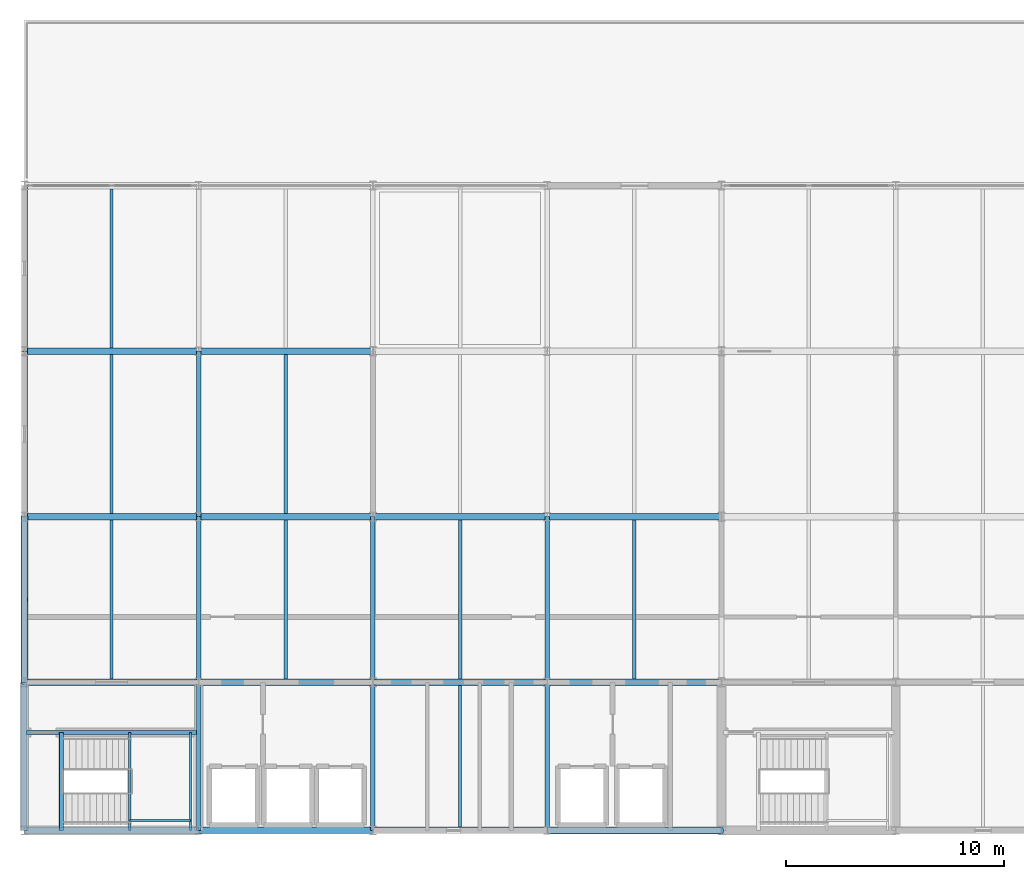
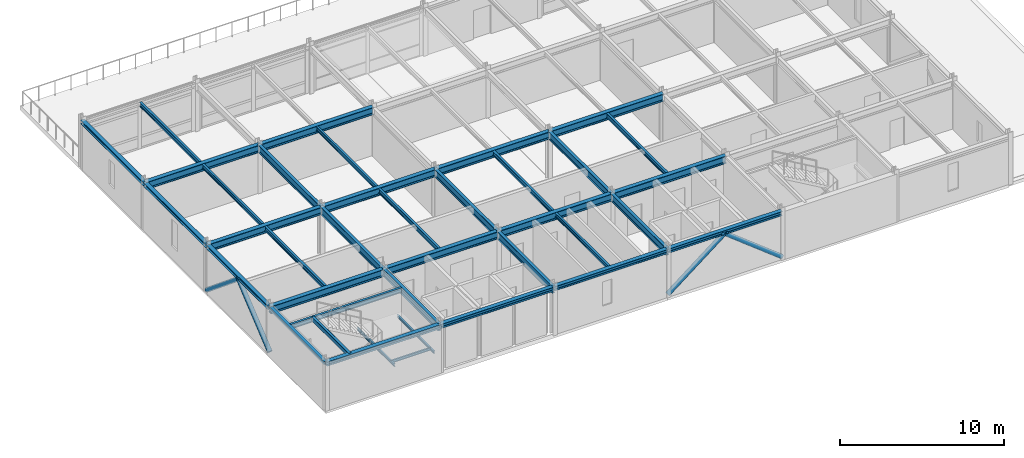
# One storey, part 3 of 12: 38 beams, 4 members.
"""IFC4 building model written with IfcOpenShell, lengths in metres."""

from ifc_helpers import new_model, si_unit, direction, frame, origin, origin_2d, place, context, subcontext, project, spatial, hollow_rectangle, hollow_circle, i_section, extrude, material, material_profile, profile_set, type_object, element, save


model = new_model("IFC4")

# Units and contexts
model_context = context("Model", 3, precision=1e-05, world=origin(), true_north=direction((0.0, 1.0)))
body_context = subcontext(model_context, "Body", "Model", "MODEL_VIEW")
ifc_project = project(units=[si_unit("LENGTHUNIT", "METRE"), si_unit("AREAUNIT", "SQUARE_METRE"), si_unit("VOLUMEUNIT", "CUBIC_METRE"), si_unit("PLANEANGLEUNIT", "RADIAN"), si_unit("MASSUNIT", "GRAM", prefix="KILO")], contexts=[model_context])

# Site, building, storey
site_placement = place(None, origin())
site = spatial("IfcSite", under=ifc_project, at=site_placement, CompositionType="ELEMENT")
building_placement = place(site_placement, origin())
building = spatial("IfcBuilding", under=site, at=building_placement, Name="Shalkamar Park Central Library", CompositionType="ELEMENT")
storey_placement = place(building_placement, frame((0.0, 0.0, 56.10009765625)))
storey = spatial("IfcBuildingStorey", under=building, at=storey_placement, Name="L14", CompositionType="ELEMENT", Elevation=56.10009765625)

# Beams
ifc_material = material(Name="Steel S355", Category="steel")
ifc_material_profile_1 = material_profile(ifc_material, i_section(OverallWidth=0.10009765625, OverallDepth=0.199951171875, WebThickness=0.005615234375, FlangeThickness=0.008544921875, FilletRadius=0.011962890625, at=origin_2d()), Name="IPE 200")
ifc_profile_set_1 = profile_set([ifc_material_profile_1], Name="Steel S355")
beam_type_1 = type_object("IfcBeamType", Name="Composite Floor Joist IPE200", PredefinedType="JOIST", material=ifc_profile_set_1)
for number, where, z_axis, x_axis, name in (
    (1, (169.840087890625, 248.39990234375, 1.56982421875), (0.0, 1.0, 0.0), (-1.0, 0.0, 0.0), "Stair Half-Landing Beam ST-T1-L14-1"),
    (2, (172.6201171875, 248.39990234375, 1.56982421875), (0.0, 1.0, 0.0), (-1.0, 0.0, 0.0), "Stair Half-Landing Beam ST-T1-L14-2"),
):
    element("IfcBeam", number, at=place(storey_placement, frame(where, z_axis=z_axis, x_axis=x_axis)), inside=storey, type_object=beam_type_1, Name=name, PredefinedType="JOIST", context=body_context, shape_type="SweptSolid", body=[
        extrude(i_section(OverallWidth=0.10009765625, OverallDepth=0.199951171875, WebThickness=0.005615234375, FlangeThickness=0.008544921875, FilletRadius=0.011962890625, at=origin_2d()), origin(), (0.0, 0.0, 1.0), 4.5),
    ])
beam_1_placement = place(storey_placement, frame((169.840087890625, 248.85009765625, 1.56982421875), z_axis=(1.0, 0.0, 0.0), x_axis=(0.0, 1.0, 0.0)))
element("IfcBeam", 3, at=beam_1_placement, inside=storey, type_object=beam_type_1, Name="Stair Half-Landing Cross Tie ST-T1-L14-3", PredefinedType="JOIST", context=body_context, shape_type="SweptSolid", body=[
    extrude(i_section(OverallWidth=0.10009765625, OverallDepth=0.199951171875, WebThickness=0.005615234375, FlangeThickness=0.008544921875, FilletRadius=0.011962890625, at=origin_2d()), origin(), (0.0, 0.0, 1.0), 2.780029296875),
])
ifc_material_profile_2 = material_profile(ifc_material, i_section(OverallWidth=0.14990234375, OverallDepth=0.300048828125, WebThickness=0.007080078125, FlangeThickness=0.0107421875, FilletRadius=0.014892578125, at=origin_2d()), Name="IPE 300")
ifc_profile_set_2 = profile_set([ifc_material_profile_2], Name="Steel S355")
beam_type_2 = type_object("IfcBeamType", Name="Composite Floor Joist IPE300", PredefinedType="JOIST", material=ifc_profile_set_2)
for number, where, z_axis, x_axis, name in (
    (4, (169.0, 262.947998046875, 3.429931640625), (0.0, 1.0, 0.0), (-1.0, 0.0, 0.0), "Composite Joist 07/D-1 (L14)"),
    (5, (177.0, 262.947998046875, 3.429931640625), (0.0, 1.0, 0.0), (-1.0, 0.0, 0.0), "Composite Joist 08/D-1 (L14)"),
):
    element("IfcBeam", number, at=place(storey_placement, frame(where, z_axis=z_axis, x_axis=x_axis)), inside=storey, type_object=beam_type_2, Name=name, PredefinedType="JOIST", context=body_context, shape_type="SweptSolid", body=[
        extrude(i_section(OverallWidth=0.14990234375, OverallDepth=0.300048828125, WebThickness=0.007080078125, FlangeThickness=0.0107421875, FilletRadius=0.014892578125, at=origin_2d()), origin(), (0.0, 0.0, 1.0), 7.303955078125),
    ])
beam_2_placement = place(storey_placement, frame((185.0, 248.548095703125, 3.429931640625), z_axis=(0.0, 1.0, 0.0), x_axis=(-1.0, 0.0, 0.0)))
element("IfcBeam", 6, at=beam_2_placement, inside=storey, type_object=beam_type_2, Name="Composite Joist 09/B-1 (L14)", PredefinedType="JOIST", context=body_context, shape_type="SweptSolid", body=[
    extrude(i_section(OverallWidth=0.14990234375, OverallDepth=0.300048828125, WebThickness=0.007080078125, FlangeThickness=0.0107421875, FilletRadius=0.014892578125, at=origin_2d()), origin(), (0.0, 0.0, 1.0), 6.50390625),
])
ifc_material_profile_3 = material_profile(ifc_material, i_section(OverallWidth=0.159912109375, OverallDepth=0.330078125, WebThickness=0.007568359375, FlangeThickness=0.011474609375, FilletRadius=0.01806640625, at=origin_2d()), Name="IPE 330")
ifc_profile_set_3 = profile_set([ifc_material_profile_3], Name="Steel S355")
beam_type_3 = type_object("IfcBeamType", Name="Composite Floor Joist IPE330", PredefinedType="JOIST", material=ifc_profile_set_3)
beam_3_placement = place(storey_placement, frame((169.0, 255.347900390625, 3.414794921875), z_axis=(0.0, 1.0, 0.0), x_axis=(-1.0, 0.0, 0.0)))
element("IfcBeam", 7, at=beam_3_placement, inside=storey, type_object=beam_type_3, Name="Composite Joist 07/C-1 (L14)", PredefinedType="JOIST", context=body_context, shape_type="SweptSolid", body=[
    extrude(i_section(OverallWidth=0.159912109375, OverallDepth=0.330078125, WebThickness=0.007568359375, FlangeThickness=0.011474609375, FilletRadius=0.01806640625, at=origin_2d()), origin(), (0.0, 0.0, 1.0), 7.30419921875),
])
beam_4_placement = place(storey_placement, frame((169.0, 270.548095703125, 3.414794921875), z_axis=(0.0, 1.0, 0.0), x_axis=(-1.0, 0.0, 0.0)))
element("IfcBeam", 8, at=beam_4_placement, inside=storey, type_object=beam_type_3, Name="Composite Joist 07/E-1 (L14)", PredefinedType="JOIST", context=body_context, shape_type="SweptSolid", body=[
    extrude(i_section(OverallWidth=0.159912109375, OverallDepth=0.330078125, WebThickness=0.007568359375, FlangeThickness=0.011474609375, FilletRadius=0.01806640625, at=origin_2d()), origin(), (0.0, 0.0, 1.0), 7.303955078125),
])
for number, where, z_axis, x_axis, name in (
    (9, (177.0, 255.347900390625, 3.414794921875), (0.0, 1.0, 0.0), (-1.0, 0.0, 0.0), "Composite Joist 08/C-1 (L14)"),
    (10, (185.0, 255.347900390625, 3.414794921875), (0.0, 1.0, 0.0), (-1.0, 0.0, 0.0), "Composite Joist 09/C-1 (L14)"),
    (11, (193.0, 255.347900390625, 3.414794921875), (0.0, 1.0, 0.0), (-1.0, 0.0, 0.0), "Composite Joist 10/C-1 (L14)"),
):
    element("IfcBeam", number, at=place(storey_placement, frame(where, z_axis=z_axis, x_axis=x_axis)), inside=storey, type_object=beam_type_3, Name=name, PredefinedType="JOIST", context=body_context, shape_type="SweptSolid", body=[
        extrude(i_section(OverallWidth=0.159912109375, OverallDepth=0.330078125, WebThickness=0.007568359375, FlangeThickness=0.011474609375, FilletRadius=0.01806640625, at=origin_2d()), origin(), (0.0, 0.0, 1.0), 7.30419921875),
    ])

# Members
ifc_material_profile_4 = material_profile(ifc_material, hollow_circle(Radius=0.161865234375, WallThickness=0.012451171875, at=origin_2d()), Name="CHS 323.9x12.5")
ifc_profile_set_4 = profile_set([ifc_material_profile_4], Name="Steel S355")
member_type = type_object("IfcMemberType", Name="Diagonal Brace CHS323", PredefinedType="BRACE", material=ifc_profile_set_4)
for number, where, z_axis, x_axis, name in (
    (12, (165.0, 255.199951171875, 0.14990234375), (0.0, 0.771887288884, 0.635759398876), (-1.0, 0.0, 0.0), "Chevron Brace TW-W Leg A (L14)"),
    (13, (165.0, 262.800048828125, 0.14990234375), (0.0, -0.771887288884, 0.635759398876), (1.0, 0.0, 0.0), "Chevron Brace TW-W Leg B (L14)"),
):
    element("IfcMember", number, at=place(storey_placement, frame(where, z_axis=z_axis, x_axis=x_axis)), inside=storey, type_object=member_type, Name=name, PredefinedType="BRACE", context=body_context, shape_type="SweptSolid", body=[
        extrude(hollow_circle(Radius=0.161865234375, WallThickness=0.012451171875, at=origin_2d()), origin(), (0.0, 0.0, 1.0), 4.923095703125),
    ])
for number, where, z_axis, x_axis, name in (
    (14, (189.0, 248.39990234375, 0.14990234375), (0.787557744094, 0.0, 0.616240861773), (0.0, 1.0, 0.0), "Chevron Brace TW-S Leg A (L14)"),
    (15, (197.0, 248.39990234375, 0.14990234375), (-0.787557744094, 0.0, 0.616240861773), (0.0, -1.0, 0.0), "Chevron Brace TW-S Leg B (L14)"),
):
    element("IfcMember", number, at=place(storey_placement, frame(where, z_axis=z_axis, x_axis=x_axis)), inside=storey, type_object=member_type, Name=name, PredefinedType="BRACE", context=body_context, shape_type="SweptSolid", body=[
        extrude(hollow_circle(Radius=0.161865234375, WallThickness=0.012451171875, at=origin_2d()), origin(), (0.0, 0.0, 1.0), 5.0791015625),
    ])

# Beams
ifc_material_profile_5 = material_profile(ifc_material, i_section(OverallWidth=0.239990234375, OverallDepth=0.22998046875, WebThickness=0.007568359375, FlangeThickness=0.011962890625, FilletRadius=0.02099609375, at=origin_2d()), Name="HEA 240")
ifc_profile_set_5 = profile_set([ifc_material_profile_5], Name="Steel S355")
beam_type_4 = type_object("IfcBeamType", Name="Perimeter Spandrel Beam HEA240", PredefinedType="SPANDREL", material=ifc_profile_set_5)
beam_5_placement = place(storey_placement, frame((165.0, 248.39990234375, 3.46484375), z_axis=(0.0, 1.0, 0.0), x_axis=(-1.0, 0.0, 0.0)))
element("IfcBeam", 16, at=beam_5_placement, inside=storey, type_object=beam_type_4, Name="Beam 07:B-C (L14)", PredefinedType="SPANDREL", context=body_context, shape_type="SweptSolid", body=[
    extrude(i_section(OverallWidth=0.239990234375, OverallDepth=0.22998046875, WebThickness=0.007568359375, FlangeThickness=0.011962890625, FilletRadius=0.02099609375, at=origin_2d()), origin(), (0.0, 0.0, 1.0), 6.800048828125),
])
ifc_material_profile_6 = material_profile(ifc_material, i_section(OverallWidth=0.280029296875, OverallDepth=0.27001953125, WebThickness=0.008056640625, FlangeThickness=0.012939453125, FilletRadius=0.02392578125, at=origin_2d()), Name="HEA 280")
ifc_profile_set_6 = profile_set([ifc_material_profile_6], Name="Steel S355")
beam_type_5 = type_object("IfcBeamType", Name="Perimeter Spandrel Beam HEA280", PredefinedType="SPANDREL", material=ifc_profile_set_6)
beam_6_placement = place(storey_placement, frame((165.0, 255.199951171875, 3.44482421875), z_axis=(0.0, 1.0, 0.0), x_axis=(-1.0, 0.0, 0.0)))
element("IfcBeam", 17, at=beam_6_placement, inside=storey, type_object=beam_type_5, Name="Beam 07:C-D (L14)", PredefinedType="SPANDREL", context=body_context, shape_type="SweptSolid", body=[
    extrude(i_section(OverallWidth=0.280029296875, OverallDepth=0.27001953125, WebThickness=0.008056640625, FlangeThickness=0.012939453125, FilletRadius=0.02392578125, at=origin_2d()), origin(), (0.0, 0.0, 1.0), 7.60009765625),
])
beam_7_placement = place(storey_placement, frame((165.0, 262.800048828125, 3.44482421875), z_axis=(0.0, 1.0, 0.0), x_axis=(-1.0, 0.0, 0.0)))
element("IfcBeam", 18, at=beam_7_placement, inside=storey, type_object=beam_type_5, Name="Beam 07:D-E (L14)", PredefinedType="SPANDREL", context=body_context, shape_type="SweptSolid", body=[
    extrude(i_section(OverallWidth=0.280029296875, OverallDepth=0.27001953125, WebThickness=0.008056640625, FlangeThickness=0.012939453125, FilletRadius=0.02392578125, at=origin_2d()), origin(), (0.0, 0.0, 1.0), 7.599853515625),
])
beam_8_placement = place(storey_placement, frame((165.0, 270.39990234375, 3.44482421875), z_axis=(0.0, 1.0, 0.0), x_axis=(-1.0, 0.0, 0.0)))
element("IfcBeam", 19, at=beam_8_placement, inside=storey, type_object=beam_type_5, Name="Beam 07:E-F (L14)", PredefinedType="SPANDREL", context=body_context, shape_type="SweptSolid", body=[
    extrude(i_section(OverallWidth=0.280029296875, OverallDepth=0.27001953125, WebThickness=0.008056640625, FlangeThickness=0.012939453125, FilletRadius=0.02392578125, at=origin_2d()), origin(), (0.0, 0.0, 1.0), 7.60009765625),
])
ifc_material_profile_7 = material_profile(ifc_material, i_section(OverallWidth=0.300048828125, OverallDepth=0.31005859375, WebThickness=0.009033203125, FlangeThickness=0.015380859375, FilletRadius=0.027099609375, at=origin_2d()), Name="HEA 320")
ifc_profile_set_7 = profile_set([ifc_material_profile_7], Name="Steel S355")
beam_type_6 = type_object("IfcBeamType", Name="Perimeter Spandrel Beam HEA320", PredefinedType="SPANDREL", material=ifc_profile_set_7)
for number, where, z_axis, x_axis, name in (
    (20, (165.0, 248.39990234375, 3.4248046875), (1.0, 0.0, 0.0), (0.0, 1.0, 0.0), "Beam B:07-08 (L14)"),
    (21, (173.0, 248.39990234375, 3.4248046875), (1.0, 0.0, 0.0), (0.0, 1.0, 0.0), "Beam B:08-09 (L14)"),
    (22, (181.0, 248.39990234375, 3.4248046875), (1.0, 0.0, 0.0), (0.0, 1.0, 0.0), "Beam B:09-10 (L14)"),
    (23, (189.0, 248.39990234375, 3.4248046875), (1.0, 0.0, 0.0), (0.0, 1.0, 0.0), "Beam B:10-11 (L14)"),
):
    element("IfcBeam", number, at=place(storey_placement, frame(where, z_axis=z_axis, x_axis=x_axis)), inside=storey, type_object=beam_type_6, Name=name, PredefinedType="SPANDREL", context=body_context, shape_type="SweptSolid", body=[
        extrude(i_section(OverallWidth=0.300048828125, OverallDepth=0.31005859375, WebThickness=0.009033203125, FlangeThickness=0.015380859375, FilletRadius=0.027099609375, at=origin_2d()), origin(), (0.0, 0.0, 1.0), 8.0),
    ])
ifc_material_profile_8 = material_profile(ifc_material, i_section(OverallWidth=0.300048828125, OverallDepth=0.550048828125, WebThickness=0.014892578125, FlangeThickness=0.029052734375, FilletRadius=0.027099609375, at=origin_2d()), Name="HEB 550")
ifc_profile_set_8 = profile_set([ifc_material_profile_8], Name="Steel S355")
beam_type_7 = type_object("IfcBeamType", Name="Primary Girder HEB550", PredefinedType="BEAM", material=ifc_profile_set_8)
for number, where, z_axis, x_axis, name in (
    (24, (165.0, 255.199951171875, 3.304931640625), (1.0, 0.0, 0.0), (0.0, 1.0, 0.0), "Beam C:07-08 (L14)"),
    (25, (173.0, 255.199951171875, 3.304931640625), (1.0, 0.0, 0.0), (0.0, 1.0, 0.0), "Beam C:08-09 (L14)"),
    (26, (181.0, 255.199951171875, 3.304931640625), (1.0, 0.0, 0.0), (0.0, 1.0, 0.0), "Beam C:09-10 (L14)"),
    (27, (189.0, 255.199951171875, 3.304931640625), (1.0, 0.0, 0.0), (0.0, 1.0, 0.0), "Beam C:10-11 (L14)"),
    (28, (165.0, 262.800048828125, 3.304931640625), (1.0, 0.0, 0.0), (0.0, 1.0, 0.0), "Beam D:07-08 (L14)"),
    (29, (173.0, 262.800048828125, 3.304931640625), (1.0, 0.0, 0.0), (0.0, 1.0, 0.0), "Beam D:08-09 (L14)"),
    (30, (181.0, 262.800048828125, 3.304931640625), (1.0, 0.0, 0.0), (0.0, 1.0, 0.0), "Beam D:09-10 (L14)"),
    (31, (189.0, 262.800048828125, 3.304931640625), (1.0, 0.0, 0.0), (0.0, 1.0, 0.0), "Beam D:10-11 (L14)"),
    (32, (165.0, 270.39990234375, 3.304931640625), (1.0, 0.0, 0.0), (0.0, 1.0, 0.0), "Beam E:07-08 (L14)"),
    (33, (173.0, 270.39990234375, 3.304931640625), (1.0, 0.0, 0.0), (0.0, 1.0, 0.0), "Beam E:08-09 (L14)"),
):
    element("IfcBeam", number, at=place(storey_placement, frame(where, z_axis=z_axis, x_axis=x_axis)), inside=storey, type_object=beam_type_7, Name=name, PredefinedType="BEAM", context=body_context, shape_type="SweptSolid", body=[
        extrude(i_section(OverallWidth=0.300048828125, OverallDepth=0.550048828125, WebThickness=0.014892578125, FlangeThickness=0.029052734375, FilletRadius=0.027099609375, at=origin_2d()), origin(), (0.0, 0.0, 1.0), 8.0),
    ])
ifc_material_profile_9 = material_profile(ifc_material, i_section(OverallWidth=0.169921875, OverallDepth=0.360107421875, WebThickness=0.008056640625, FlangeThickness=0.0126953125, FilletRadius=0.01806640625, at=origin_2d()), Name="IPE 360")
ifc_profile_set_9 = profile_set([ifc_material_profile_9], Name="Steel S355")
beam_type_8 = type_object("IfcBeamType", Name="Primary Girder IPE360", PredefinedType="BEAM", material=ifc_profile_set_9)
beam_9_placement = place(storey_placement, frame((165.087890625, 252.89990234375, 3.39990234375), z_axis=(1.0, 0.0, 0.0), x_axis=(0.0, 1.0, 0.0)))
element("IfcBeam", 34, at=beam_9_placement, inside=storey, type_object=beam_type_8, Name="CORE-T1 Stairwell Divider Beam (L14)", PredefinedType="BEAM", context=body_context, shape_type="SweptSolid", body=[
    extrude(i_section(OverallWidth=0.169921875, OverallDepth=0.360107421875, WebThickness=0.008056640625, FlangeThickness=0.0126953125, FilletRadius=0.01806640625, at=origin_2d()), origin(), (0.0, 0.0, 1.0), 7.82421875),
])
ifc_material_profile_10 = material_profile(ifc_material, i_section(OverallWidth=0.2099609375, OverallDepth=0.550048828125, WebThickness=0.010986328125, FlangeThickness=0.01708984375, FilletRadius=0.02392578125, at=origin_2d()), Name="IPE 550")
ifc_profile_set_10 = profile_set([ifc_material_profile_10], Name="Steel S355")
beam_type_9 = type_object("IfcBeamType", Name="Primary Girder IPE550", PredefinedType="BEAM", material=ifc_profile_set_10)
beam_10_placement = place(storey_placement, frame((173.0, 248.39990234375, 3.304931640625), z_axis=(0.0, 1.0, 0.0), x_axis=(-1.0, 0.0, 0.0)))
element("IfcBeam", 35, at=beam_10_placement, inside=storey, type_object=beam_type_9, Name="Beam 08:B-C (L14)", PredefinedType="BEAM", context=body_context, shape_type="SweptSolid", body=[
    extrude(i_section(OverallWidth=0.2099609375, OverallDepth=0.550048828125, WebThickness=0.010986328125, FlangeThickness=0.01708984375, FilletRadius=0.02392578125, at=origin_2d()), origin(), (0.0, 0.0, 1.0), 6.800048828125),
])
beam_11_placement = place(storey_placement, frame((173.0, 255.199951171875, 3.304931640625), z_axis=(0.0, 1.0, 0.0), x_axis=(-1.0, 0.0, 0.0)))
element("IfcBeam", 36, at=beam_11_placement, inside=storey, type_object=beam_type_9, Name="Beam 08:C-D (L14)", PredefinedType="BEAM", context=body_context, shape_type="SweptSolid", body=[
    extrude(i_section(OverallWidth=0.2099609375, OverallDepth=0.550048828125, WebThickness=0.010986328125, FlangeThickness=0.01708984375, FilletRadius=0.02392578125, at=origin_2d()), origin(), (0.0, 0.0, 1.0), 7.60009765625),
])
beam_12_placement = place(storey_placement, frame((173.0, 262.800048828125, 3.304931640625), z_axis=(0.0, 1.0, 0.0), x_axis=(-1.0, 0.0, 0.0)))
element("IfcBeam", 37, at=beam_12_placement, inside=storey, type_object=beam_type_9, Name="Beam 08:D-E (L14)", PredefinedType="BEAM", context=body_context, shape_type="SweptSolid", body=[
    extrude(i_section(OverallWidth=0.2099609375, OverallDepth=0.550048828125, WebThickness=0.010986328125, FlangeThickness=0.01708984375, FilletRadius=0.02392578125, at=origin_2d()), origin(), (0.0, 0.0, 1.0), 7.599853515625),
])
beam_13_placement = place(storey_placement, frame((181.0, 248.39990234375, 3.304931640625), z_axis=(0.0, 1.0, 0.0), x_axis=(-1.0, 0.0, 0.0)))
element("IfcBeam", 38, at=beam_13_placement, inside=storey, type_object=beam_type_9, Name="Beam 09:B-C (L14)", PredefinedType="BEAM", context=body_context, shape_type="SweptSolid", body=[
    extrude(i_section(OverallWidth=0.2099609375, OverallDepth=0.550048828125, WebThickness=0.010986328125, FlangeThickness=0.01708984375, FilletRadius=0.02392578125, at=origin_2d()), origin(), (0.0, 0.0, 1.0), 6.800048828125),
])
beam_14_placement = place(storey_placement, frame((181.0, 255.199951171875, 3.304931640625), z_axis=(0.0, 1.0, 0.0), x_axis=(-1.0, 0.0, 0.0)))
element("IfcBeam", 39, at=beam_14_placement, inside=storey, type_object=beam_type_9, Name="Beam 09:C-D (L14)", PredefinedType="BEAM", context=body_context, shape_type="SweptSolid", body=[
    extrude(i_section(OverallWidth=0.2099609375, OverallDepth=0.550048828125, WebThickness=0.010986328125, FlangeThickness=0.01708984375, FilletRadius=0.02392578125, at=origin_2d()), origin(), (0.0, 0.0, 1.0), 7.60009765625),
])
beam_15_placement = place(storey_placement, frame((189.0, 248.39990234375, 3.304931640625), z_axis=(0.0, 1.0, 0.0), x_axis=(-1.0, 0.0, 0.0)))
element("IfcBeam", 40, at=beam_15_placement, inside=storey, type_object=beam_type_9, Name="Beam 10:B-C (L14)", PredefinedType="BEAM", context=body_context, shape_type="SweptSolid", body=[
    extrude(i_section(OverallWidth=0.2099609375, OverallDepth=0.550048828125, WebThickness=0.010986328125, FlangeThickness=0.01708984375, FilletRadius=0.02392578125, at=origin_2d()), origin(), (0.0, 0.0, 1.0), 6.800048828125),
])
beam_16_placement = place(storey_placement, frame((189.0, 255.199951171875, 3.304931640625), z_axis=(0.0, 1.0, 0.0), x_axis=(-1.0, 0.0, 0.0)))
element("IfcBeam", 41, at=beam_16_placement, inside=storey, type_object=beam_type_9, Name="Beam 10:C-D (L14)", PredefinedType="BEAM", context=body_context, shape_type="SweptSolid", body=[
    extrude(i_section(OverallWidth=0.2099609375, OverallDepth=0.550048828125, WebThickness=0.010986328125, FlangeThickness=0.01708984375, FilletRadius=0.02392578125, at=origin_2d()), origin(), (0.0, 0.0, 1.0), 7.60009765625),
])
ifc_material_profile_11 = material_profile(ifc_material, hollow_rectangle(XDim=0.199951171875, YDim=0.300048828125, WallThickness=0.011962890625, InnerFilletRadius=0.011962890625, OuterFilletRadius=0.01806640625, at=origin_2d()), Name="RHS 300x200x12")
ifc_profile_set_11 = profile_set([ifc_material_profile_11], Name="Steel S355")
beam_type_10 = type_object("IfcBeamType", Name="Stair Trimmer Box RHS300x200", PredefinedType="BEAM", material=ifc_profile_set_11)
beam_17_placement = place(storey_placement, frame((166.699951171875, 248.39990234375, 3.429931640625), z_axis=(0.0, 1.0, 0.0), x_axis=(-1.0, 0.0, 0.0)))
element("IfcBeam", 42, at=beam_17_placement, inside=storey, type_object=beam_type_10, Name="Stair Arrival Trimmer Girder ST-T1-L14", PredefinedType="BEAM", context=body_context, shape_type="SweptSolid", body=[
    extrude(hollow_rectangle(XDim=0.199951171875, YDim=0.300048828125, WallThickness=0.011962890625, InnerFilletRadius=0.011962890625, OuterFilletRadius=0.01806640625, at=origin_2d()), origin(), (0.0, 0.0, 1.0), 4.5),
])

save(model, "model.ifc")
